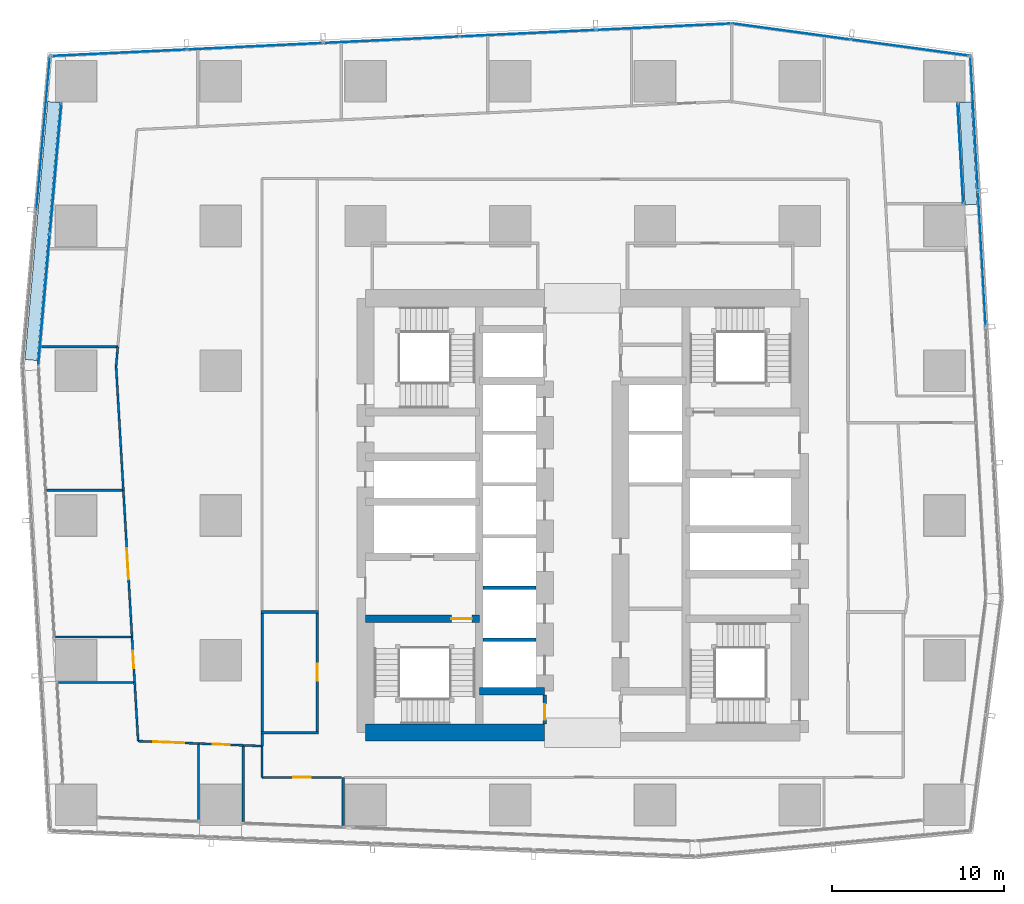
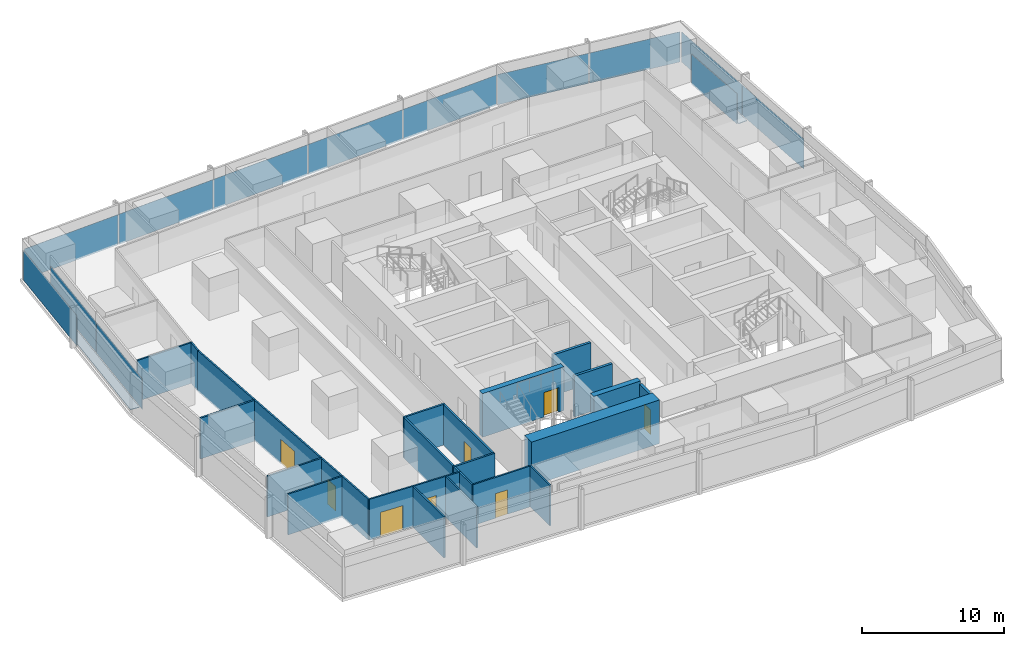
# One storey, part 24 of 37: 28 walls, 15 plates, 8 doors, 8 openings, 6 elements without a shape of their own.
"""IFC4 building model written with IfcOpenShell, lengths in metres."""

from ifc_helpers import new_model, si_unit, direction, frame, frame_2d, origin, origin_2d, place, context, subcontext, project, spatial, rectangle, extrude, material, layer, layer_set, type_object, element, fill, aggregate, save


model = new_model("IFC4")

# Units and contexts
model_context = context("Model", 3, precision=1e-05, world=origin(), true_north=direction((0.0, 1.0)))
body_context = subcontext(model_context, "Body", "Model", "MODEL_VIEW")
ifc_project = project(units=[si_unit("LENGTHUNIT", "METRE"), si_unit("AREAUNIT", "SQUARE_METRE"), si_unit("VOLUMEUNIT", "CUBIC_METRE"), si_unit("PLANEANGLEUNIT", "RADIAN"), si_unit("MASSUNIT", "GRAM", prefix="KILO")], contexts=[model_context])

# Site, building, storey
site_placement = place(None, origin())
site = spatial("IfcSite", under=ifc_project, at=site_placement, CompositionType="ELEMENT")
building_placement = place(site_placement, origin())
building = spatial("IfcBuilding", under=site, at=building_placement, Name="Rekha Terrace Tower", CompositionType="ELEMENT")
storey_placement = place(building_placement, frame((0.0, 0.0, 232.699951171875)))
storey = spatial("IfcBuildingStorey", under=building, at=storey_placement, Name="L59", CompositionType="ELEMENT", Elevation=232.699951171875)

# Curtain wall, plate
ifc_material_1 = material(Name="Aluminium framing", Category="aluminium")
curtain_wall_type_1 = type_object("IfcCurtainWallType", Name="CW1 double skin inner glazing", PredefinedType="USERDEFINED", material=ifc_material_1)
curtain_wall_1_placement = place(storey_placement, origin())
curtain_wall_1 = element("IfcCurtainWall", 1, at=curtain_wall_1_placement, inside=storey, type_object=curtain_wall_type_1, Name="CW1 double skin inner glazing", ObjectType="DOUBLE SKIN INNER GLAZING", PredefinedType="USERDEFINED")
ifc_material_2 = material(Name="Double-glazed low-e unit 32", Category="glass")
ifc_layer_1 = layer(ifc_material_2, 0.031982421875)
ifc_layer_set_1 = layer_set([ifc_layer_1], Name="Double-glazed low-e unit 32")
plate_type_1 = type_object("IfcPlateType", Name="CW1 jumbo vision panel, double-glazed low-e unit 32", PredefinedType="CURTAIN_PANEL", material=ifc_layer_set_1)
plate_1_placement = place(storey_placement, frame((59.720458984375, 54.60009765625, 0.0), z_axis=(0.0, 0.0, 1.0), x_axis=(-0.056673194877, 0.998392782918, 0.0)))
plate_1 = element("IfcPlate", 2, at=plate_1_placement, type_object=plate_type_1, Name="CW1 panel 1.1", PredefinedType="CURTAIN_PANEL", context=body_context, shape_type="SweptSolid", body=[
    extrude(rectangle(XDim=5.828857421875, YDim=0.031982421875, at=origin_2d()), origin(), (0.0, 0.0, 1.0), 2.60009765625),
])
aggregate(curtain_wall_1, [plate_1])

# Curtain wall, plates
curtain_wall_2_placement = place(storey_placement, origin())
curtain_wall_2 = element("IfcCurtainWall", 3, at=curtain_wall_2_placement, inside=storey, type_object=curtain_wall_type_1, Name="CW1 double skin inner glazing", ObjectType="DOUBLE SKIN INNER GLAZING", PredefinedType="USERDEFINED")
plate_2_placement = place(storey_placement, frame((7.2216796875, 53.7412109375, 0.0), z_axis=(0.0, 0.0, 1.0), x_axis=(-0.087957985471, -0.996124185427, 0.0)))
plate_2 = element("IfcPlate", 4, at=plate_2_placement, type_object=plate_type_1, Name="CW1 panel 1.1", PredefinedType="CURTAIN_PANEL", context=body_context, shape_type="SweptSolid", body=[
    extrude(rectangle(XDim=7.560791015625, YDim=0.031982421875, at=origin_2d()), origin(), (0.0, 0.0, 1.0), 2.60009765625),
])
plate_3_placement = place(storey_placement, frame((6.548095703125, 46.112548828125, 0.0), z_axis=(0.0, 0.0, 1.0), x_axis=(-0.087957985471, -0.996124185427, 0.0)))
plate_3 = element("IfcPlate", 5, at=plate_3_placement, type_object=plate_type_1, Name="CW1 panel 2.1", PredefinedType="CURTAIN_PANEL", context=body_context, shape_type="SweptSolid", body=[
    extrude(rectangle(XDim=7.625732421875, YDim=0.031982421875, at=origin_2d()), origin(), (0.0, 0.0, 1.0), 2.60009765625),
])
aggregate(curtain_wall_2, [plate_2, plate_3])

curtain_wall_type_2 = type_object("IfcCurtainWallType", Name="CW2 double skin outer glazing", PredefinedType="USERDEFINED", material=ifc_material_1)
curtain_wall_3_placement = place(storey_placement, origin())
curtain_wall_3 = element("IfcCurtainWall", 6, at=curtain_wall_3_placement, inside=storey, type_object=curtain_wall_type_2, Name="CW2 double skin outer glazing", ObjectType="DOUBLE SKIN OUTER GLAZING", PredefinedType="USERDEFINED")
ifc_material_3 = material(Name="Toughened single glazing 12", Category="glass")
ifc_layer_2 = layer(ifc_material_3, 0.011962890625)
ifc_layer_set_2 = layer_set([ifc_layer_2], Name="Toughened single glazing 12")
plate_type_2 = type_object("IfcPlateType", Name="CW2 jumbo vision panel, toughened single glazing 12", PredefinedType="CURTAIN_PANEL", material=ifc_layer_set_2)
plate_4_placement = place(storey_placement, frame((60.9697265625, 48.47314453125, 0.0), z_axis=(0.0, 0.0, 1.0), x_axis=(-0.05667319486, 0.998392782919, 0.0)))
plate_4 = element("IfcPlate", 7, at=plate_4_placement, type_object=plate_type_2, Name="CW2 panel 3.1", PredefinedType="CURTAIN_PANEL", context=body_context, shape_type="SweptSolid", body=[
    extrude(rectangle(XDim=7.823486328125, YDim=0.011962890625, at=origin_2d()), origin(), (0.0, 0.0, 1.0), 2.60009765625),
])
plate_5_placement = place(storey_placement, frame((60.522705078125, 56.343994140625, 0.0), z_axis=(0.0, 0.0, 1.0), x_axis=(-0.05667319486, 0.998392782919, 0.0)))
plate_5 = element("IfcPlate", 8, at=plate_5_placement, type_object=plate_type_2, Name="CW2 panel 4.1", PredefinedType="CURTAIN_PANEL", context=body_context, shape_type="SweptSolid", body=[
    extrude(rectangle(XDim=7.783447265625, YDim=0.011962890625, at=origin_2d()), origin(), (0.0, 0.0, 1.0), 2.60009765625),
])
aggregate(curtain_wall_3, [plate_4, plate_5])

# Curtain wall, plate
curtain_wall_4_placement = place(storey_placement, origin())
curtain_wall_4 = element("IfcCurtainWall", 9, at=curtain_wall_4_placement, inside=storey, type_object=curtain_wall_type_2, Name="CW2 double skin outer glazing", ObjectType="DOUBLE SKIN OUTER GLAZING", PredefinedType="USERDEFINED")
plate_6_placement = place(storey_placement, frame((6.498779296875, 55.78466796875, 0.0), z_axis=(0.0, 0.0, 1.0), x_axis=(-0.087957985453, -0.996124185428, 0.0)))
plate_6 = element("IfcPlate", 10, at=plate_6_placement, type_object=plate_type_2, Name="CW2 panel 1.1", PredefinedType="CURTAIN_PANEL", context=body_context, shape_type="SweptSolid", body=[
    extrude(rectangle(XDim=8.899658203125, YDim=0.011962890625, at=origin_2d()), origin(), (0.0, 0.0, 1.0), 2.60009765625),
])
aggregate(curtain_wall_4, [plate_6])

# Curtain wall, plates
curtain_wall_type_3 = type_object("IfcCurtainWallType", Name="CW3 north unitised glazing", PredefinedType="USERDEFINED", material=ifc_material_1)
curtain_wall_5_placement = place(storey_placement, origin())
curtain_wall_5 = element("IfcCurtainWall", 11, at=curtain_wall_5_placement, inside=storey, type_object=curtain_wall_type_3, Name="CW3 unitised curtain wall", ObjectType="UNITISED CURTAIN WALL", PredefinedType="USERDEFINED")
ifc_material_4 = material(Name="Double-glazed unit 28", Category="glass")
ifc_layer_3 = layer(ifc_material_4, 0.028076171875)
ifc_layer_set_3 = layer_set([ifc_layer_3], Name="Double-glazed unit 28")
plate_type_3 = type_object("IfcPlateType", Name="CW3 jumbo vision panel, double-glazed unit 28", PredefinedType="CURTAIN_PANEL", material=ifc_layer_set_3)
plate_7_placement = place(storey_placement, frame((56.797119140625, 60.745361328125, 0.0), z_axis=(0.0, 0.0, 1.0), x_axis=(-0.990867270504, 0.134840840416, 0.0)))
plate_7 = element("IfcPlate", 12, at=plate_7_placement, type_object=plate_type_3, Name="CW3 panel 1.1", PredefinedType="CURTAIN_PANEL", context=body_context, shape_type="SweptSolid", body=[
    extrude(rectangle(XDim=6.8486328125, YDim=0.028076171875, at=origin_2d()), origin(), (0.0, 0.0, 1.0), 2.60009765625),
])
plate_8_placement = place(storey_placement, frame((49.906982421875, 61.682861328125, 0.0), z_axis=(0.0, 0.0, 1.0), x_axis=(-0.990867270504, 0.134840840416, 0.0)))
plate_8 = element("IfcPlate", 13, at=plate_8_placement, type_object=plate_type_3, Name="CW3 panel 2.1", PredefinedType="CURTAIN_PANEL", context=body_context, shape_type="SweptSolid", body=[
    extrude(rectangle(XDim=6.918701171875, YDim=0.028076171875, at=origin_2d()), origin(), (0.0, 0.0, 1.0), 2.60009765625),
])
aggregate(curtain_wall_5, [plate_7, plate_8])

curtain_wall_6_placement = place(storey_placement, origin())
curtain_wall_6 = element("IfcCurtainWall", 14, at=curtain_wall_6_placement, inside=storey, type_object=curtain_wall_type_3, Name="CW3 unitised curtain wall", ObjectType="UNITISED CURTAIN WALL", PredefinedType="USERDEFINED")
plate_9_placement = place(storey_placement, frame((42.50732421875, 61.95947265625, 0.0), z_axis=(0.0, 0.0, 1.0), x_axis=(-0.998858906204, -0.047758616983, 0.0)))
plate_9 = element("IfcPlate", 15, at=plate_9_placement, type_object=plate_type_3, Name="CW3 panel 1.1", PredefinedType="CURTAIN_PANEL", context=body_context, shape_type="SweptSolid", body=[
    extrude(rectangle(XDim=7.81298828125, YDim=0.028076171875, at=origin_2d()), origin(), (0.0, 0.0, 1.0), 2.60009765625),
])
plate_10_placement = place(storey_placement, frame((34.61572265625, 61.58203125, 0.0), z_axis=(0.0, 0.0, 1.0), x_axis=(-0.998858906204, -0.047758616983, 0.0)))
plate_10 = element("IfcPlate", 16, at=plate_10_placement, type_object=plate_type_3, Name="CW3 panel 2.1", PredefinedType="CURTAIN_PANEL", context=body_context, shape_type="SweptSolid", body=[
    extrude(rectangle(XDim=7.84814453125, YDim=0.028076171875, at=origin_2d()), origin(), (0.0, 0.0, 1.0), 2.60009765625),
])
plate_11_placement = place(storey_placement, frame((26.70654296875, 61.203857421875, 0.0), z_axis=(0.0, 0.0, 1.0), x_axis=(-0.998858906204, -0.047758616983, 0.0)))
plate_11 = element("IfcPlate", 17, at=plate_11_placement, type_object=plate_type_3, Name="CW3 panel 3.1", PredefinedType="CURTAIN_PANEL", context=body_context, shape_type="SweptSolid", body=[
    extrude(rectangle(XDim=7.84814453125, YDim=0.028076171875, at=origin_2d()), origin(), (0.0, 0.0, 1.0), 2.60009765625),
])
plate_12_placement = place(storey_placement, frame((18.79736328125, 60.82568359375, 0.0), z_axis=(0.0, 0.0, 1.0), x_axis=(-0.998858906204, -0.047758616983, 0.0)))
plate_12 = element("IfcPlate", 18, at=plate_12_placement, type_object=plate_type_3, Name="CW3 panel 4.1", PredefinedType="CURTAIN_PANEL", context=body_context, shape_type="SweptSolid", body=[
    extrude(rectangle(XDim=7.84814453125, YDim=0.028076171875, at=origin_2d()), origin(), (0.0, 0.0, 1.0), 2.60009765625),
])
plate_13_placement = place(storey_placement, frame((10.906005859375, 60.448486328125, 0.0), z_axis=(0.0, 0.0, 1.0), x_axis=(-0.998858906204, -0.047758616983, 0.0)))
plate_13 = element("IfcPlate", 19, at=plate_13_placement, type_object=plate_type_3, Name="CW3 panel 5.1", PredefinedType="CURTAIN_PANEL", context=body_context, shape_type="SweptSolid", body=[
    extrude(rectangle(XDim=7.81298828125, YDim=0.028076171875, at=origin_2d()), origin(), (0.0, 0.0, 1.0), 2.60009765625),
])
aggregate(curtain_wall_6, [plate_9, plate_10, plate_11, plate_12, plate_13])

# Plates
ifc_material_5 = material(Name="Galvanised steel open grating", Category="steel")
ifc_layer_4 = layer(ifc_material_5, 0.050048828125)
ifc_layer_set_4 = layer_set([ifc_layer_4], Name="Galvanised steel open grating")
plate_type_4 = type_object("IfcPlateType", Name="GT1 cavity walkway grating 50", PredefinedType="USERDEFINED", material=ifc_layer_set_4)
plate_14_placement = place(storey_placement, frame((60.17041015625, 54.610595703125, 0.0), z_axis=(0.0, 0.0, 1.0), x_axis=(-0.05667319486, 0.998392782919, 0.0)))
element("IfcPlate", 20, at=plate_14_placement, inside=storey, type_object=plate_type_4, Name="Cavity walkway grating", ObjectType="CAVITY WALKWAY GRATING", PredefinedType="USERDEFINED", context=body_context, shape_type="SweptSolid", body=[
    extrude(rectangle(XDim=5.948486328125, YDim=0.705078125, at=origin_2d()), origin(), (0.0, 0.0, 1.0), 0.050048828125),
])
plate_15_placement = place(storey_placement, frame((6.44873046875, 50.10400390625, 0.0), z_axis=(0.0, 0.0, 1.0), x_axis=(-0.087957985471, -0.996124185427, 0.0)))
element("IfcPlate", 21, at=plate_15_placement, inside=storey, type_object=plate_type_4, Name="Cavity walkway grating", ObjectType="CAVITY WALKWAY GRATING", PredefinedType="USERDEFINED", context=body_context, shape_type="SweptSolid", body=[
    extrude(rectangle(XDim=15.0263671875, YDim=0.705078125, at=origin_2d()), origin(), (0.0, 0.0, 1.0), 0.050048828125),
])

# Wall
ifc_material_6 = material(Name="Concrete M60", Category="concrete")
ifc_layer_5 = layer(ifc_material_6, 0.449951171875)
ifc_layer_set_5 = layer_set([ifc_layer_5], Name="Concrete M60")
wall_type_1 = type_object("IfcWallType", Name="CI3 450 core internal shear wall", PredefinedType="SHEAR", material=ifc_layer_set_5)
wall_1_placement = place(storey_placement, frame((31.800048828125, 23.39990234375, 0.0), z_axis=(0.0, 0.0, 1.0), x_axis=(1.0, 0.0, 0.0)))
element("IfcWall", 22, at=wall_1_placement, inside=storey, type_object=wall_type_1, Name="Core wall Y234W L59", PredefinedType="SHEAR", context=body_context, shape_type="SweptSolid", body=[
    extrude(rectangle(XDim=3.800048828125, YDim=0.449951171875, at=frame_2d((1.89990234375, 0.0))), origin(), (0.0, 0.0, 1.0), 3.75),
])

# Wall, opening, door
wall_2_placement = place(storey_placement, frame((25.199951171875, 27.60009765625, 0.0), z_axis=(0.0, 0.0, 1.0), x_axis=(1.0, 0.0, 0.0)))
wall_2 = element("IfcWall", 23, at=wall_2_placement, inside=storey, type_object=wall_type_1, Name="Core wall Y276W L59", PredefinedType="SHEAR", context=body_context, shape_type="SweptSolid", body=[
    extrude(rectangle(XDim=6.60009765625, YDim=0.449951171875, at=frame_2d((3.300048828125, 0.0))), origin(), (0.0, 0.0, 1.0), 3.75),
])
opening_1_placement = place(wall_2_placement, frame((4.97509765625, 0.0, 0.0)))
opening_1 = element("IfcOpeningElement", 24, at=opening_1_placement, cuts=wall_2, Name="Opening D1", PredefinedType="OPENING", context=body_context, shape_type="SweptSolid", body=[
    extrude(rectangle(XDim=1.199951171875, YDim=2.10009765625, at=frame_2d((0.60009765625, 1.050048828125))), frame((0.0, 0.23486328125, 0.0), z_axis=(0.0, -1.0, 0.0), x_axis=(1.0, 0.0, 0.0)), (0.0, 0.0, 1.0), 0.469970703125),
])
ifc_material_7 = material(Name="Steel fire door", Category="steel")
door_type_1 = type_object("IfcDoorType", Name="D1 1200x2100 stair fire door", OperationType="SINGLE_SWING_RIGHT", PredefinedType="DOOR", material=ifc_material_7)
door_1_placement = place(opening_1_placement, origin())
door_1 = element("IfcDoor", 25, at=door_1_placement, inside=storey, type_object=door_type_1, Name="Stair ST1 door L59", OperationType="SINGLE_SWING_RIGHT", OverallHeight=2.10009765625, OverallWidth=1.199951171875, PredefinedType="DOOR", context=body_context, shape_type="SweptSolid", body=[
    extrude(rectangle(XDim=1.199951171875, YDim=2.10009765625, at=frame_2d((0.60009765625, 1.050048828125))), frame((0.0, 0.02490234375, 0.0), z_axis=(0.0, -1.0, 0.0), x_axis=(1.0, 0.0, 0.0)), (0.0, 0.0, 1.0), 0.050048828125),
])
fill(opening_1, door_1)

# Walls
ifc_layer_6 = layer(ifc_material_6, 1.0)
ifc_layer_set_6 = layer_set([ifc_layer_6], Name="Concrete M60")
wall_type_2 = type_object("IfcWallType", Name="SW3 1000 core outer shear wall", PredefinedType="SHEAR", material=ifc_layer_set_6)
wall_3_placement = place(storey_placement, frame((25.199951171875, 21.0, 0.0), z_axis=(0.0, 0.0, 1.0), x_axis=(1.0, 0.0, 0.0)))
element("IfcWall", 26, at=wall_3_placement, inside=storey, type_object=wall_type_2, Name="Core wall S1 L59", PredefinedType="SHEAR", context=body_context, shape_type="SweptSolid", body=[
    extrude(rectangle(XDim=10.400146484375, YDim=1.0, at=frame_2d((5.2001953125, 0.0))), origin(), (0.0, 0.0, 1.0), 3.75),
])
ifc_material_8 = material(Name="Concrete block masonry, 1 hour", Category="masonry")
ifc_layer_7 = layer(ifc_material_8, 0.14990234375)
ifc_layer_set_7 = layer_set([ifc_layer_7], Name="Concrete block masonry, 1 hour")
wall_type_3 = type_object("IfcWallType", Name="WP2 150 tenancy partition", PredefinedType="PARTITIONING", material=ifc_layer_set_7)
for number, where, z_axis, x_axis, name in (
    (27, (19.125, 21.0, 0.0), (0.0, 0.0, 1.0), (1.0, 0.0, 0.0), "Men's WC wall L59"),
    (28, (19.125, 28.0, 0.0), (0.0, 0.0, 1.0), (1.0, 0.0, 0.0), "Men's WC wall L59"),
):
    element("IfcWall", number, at=place(storey_placement, frame(where, z_axis=z_axis, x_axis=x_axis)), inside=storey, type_object=wall_type_3, Name=name, PredefinedType="PARTITIONING", context=body_context, shape_type="SweptSolid", body=[
        extrude(rectangle(XDim=3.35009765625, YDim=0.14990234375, at=frame_2d((1.675048828125, 0.0))), origin(), (0.0, 0.0, 1.0), 3.5),
    ])
wall_4_placement = place(storey_placement, frame((19.199951171875, 21.074951171875, 0.0), z_axis=(0.0, 0.0, 1.0), x_axis=(0.0, 1.0, 0.0)))
element("IfcWall", 29, at=wall_4_placement, inside=storey, type_object=wall_type_3, Name="Men's WC wall L59", PredefinedType="PARTITIONING", context=body_context, shape_type="SweptSolid", body=[
    extrude(rectangle(XDim=6.85009765625, YDim=0.14990234375, at=frame_2d((3.425048828125, 0.0))), origin(), (0.0, 0.0, 1.0), 3.5),
])

# Wall, opening, door
wall_5_placement = place(storey_placement, frame((22.39990234375, 21.074951171875, 0.0), z_axis=(0.0, 0.0, 1.0), x_axis=(0.0, 1.0, 0.0)))
wall_5 = element("IfcWall", 30, at=wall_5_placement, inside=storey, type_object=wall_type_3, Name="Men's WC wall L59", PredefinedType="PARTITIONING", context=body_context, shape_type="SweptSolid", body=[
    extrude(rectangle(XDim=6.85009765625, YDim=0.14990234375, at=frame_2d((3.425048828125, 0.0))), origin(), (0.0, 0.0, 1.0), 3.5),
])
opening_2_placement = place(wall_5_placement, frame((2.925048828125, 0.0, 0.0)))
opening_2 = element("IfcOpeningElement", 31, at=opening_2_placement, cuts=wall_5, Name="Opening D3", PredefinedType="OPENING", context=body_context, shape_type="SweptSolid", body=[
    extrude(rectangle(XDim=1.0, YDim=2.10009765625, at=frame_2d((0.5, 1.050048828125))), frame((0.0, 0.0849609375, 0.0), z_axis=(0.0, -1.0, 0.0), x_axis=(1.0, 0.0, 0.0)), (0.0, 0.0, 1.0), 0.169921875),
])
ifc_material_9 = material(Name="Laminated timber fire door", Category="wood")
door_type_2 = type_object("IfcDoorType", Name="D3 1000x2100 WC door", OperationType="SINGLE_SWING_LEFT", PredefinedType="DOOR", material=ifc_material_9)
door_2_placement = place(opening_2_placement, origin())
door_2 = element("IfcDoor", 32, at=door_2_placement, inside=storey, type_object=door_type_2, Name="Door men's wc L59", OperationType="SINGLE_SWING_LEFT", OverallHeight=2.10009765625, OverallWidth=1.0, PredefinedType="DOOR", context=body_context, shape_type="SweptSolid", body=[
    extrude(rectangle(XDim=1.0, YDim=2.10009765625, at=frame_2d((0.5, 1.050048828125))), frame((0.0, 0.02490234375, 0.0), z_axis=(0.0, -1.0, 0.0), x_axis=(1.0, 0.0, 0.0)), (0.0, 0.0, 1.0), 0.050048828125),
])
fill(opening_2, door_2)

# Walls
wall_6_placement = place(storey_placement, frame((11.0849609375, 35.05908203125, 0.0), z_axis=(0.0, 0.0, 1.0), x_axis=(-1.0, 0.0, 0.0)))
element("IfcWall", 33, at=wall_6_placement, inside=storey, type_object=wall_type_3, Name="Partition L59-O1", PredefinedType="PARTITIONING", context=body_context, shape_type="SweptSolid", body=[
    extrude(rectangle(XDim=4.39501953125, YDim=0.14990234375, at=frame_2d((2.197509765625, 0.0))), origin(), (0.0, 0.0, 1.0), 3.5),
])
wall_7_placement = place(storey_placement, frame((19.199951171875, 20.925048828125, 0.0), z_axis=(0.0, 0.0, 1.0), x_axis=(0.0, -1.0, 0.0)))
element("IfcWall", 34, at=wall_7_placement, inside=storey, type_object=wall_type_3, Name="Partition L59-O1", PredefinedType="PARTITIONING", context=body_context, shape_type="SweptSolid", body=[
    extrude(rectangle(XDim=0.70703125, YDim=0.14990234375, at=frame_2d((0.353515625, 0.0))), origin(), (0.0, 0.0, 1.0), 3.5),
])
ifc_material_10 = material(Name="Two layers of fire-rated gypsum board each side on steel studs, acoustic quilt, 1 hour", Category="steel")
ifc_layer_8 = layer(ifc_material_10, 0.125)
ifc_layer_set_8 = layer_set([ifc_layer_8], Name="Two layers of fire-rated gypsum board each side on steel studs, acoustic quilt, 1 hour")
wall_type_4 = type_object("IfcWallType", Name="WP3 125 office partition", PredefinedType="PARTITIONING", material=ifc_layer_set_8)
wall_8_placement = place(storey_placement, frame((23.906982421875, 15.60595703125, 0.0), z_axis=(0.0, 0.0, 1.0), x_axis=(0.0, 1.0, 0.0)))
element("IfcWall", 35, at=wall_8_placement, inside=storey, type_object=wall_type_4, Name="Partition L59-02", PredefinedType="PARTITIONING", context=body_context, shape_type="SweptSolid", body=[
    extrude(rectangle(XDim=2.7939453125, YDim=0.125, at=frame_2d((1.39697265625, 0.0))), origin(), (0.0, 0.0, 1.0), 3.5),
])
wall_9_placement = place(storey_placement, frame((10.825927734375, 43.39208984375, 0.0), z_axis=(0.0, 0.0, 1.0), x_axis=(-1.0, 0.0, 0.0)))
element("IfcWall", 36, at=wall_9_placement, inside=storey, type_object=wall_type_4, Name="Partition L59-09", PredefinedType="PARTITIONING", context=body_context, shape_type="SweptSolid", body=[
    extrude(rectangle(XDim=4.43798828125, YDim=0.125, at=frame_2d((2.218994140625, 0.0))), origin(), (0.0, 0.0, 1.0), 3.5),
])
wall_10_placement = place(storey_placement, frame((10.825927734375, 43.39111328125, 0.0), z_axis=(0.0, 0.0, 1.0), x_axis=(-0.087943526258, -0.996125462073, 0.0)))
element("IfcWall", 37, at=wall_10_placement, inside=storey, type_object=wall_type_4, Name="Partition L59-10", PredefinedType="PARTITIONING", context=body_context, shape_type="SweptSolid", body=[
    extrude(rectangle(XDim=1.146484375, YDim=0.125, at=frame_2d((0.5732421875, 0.0))), origin(), (0.0, 0.0, 1.0), 3.5),
])
wall_11_placement = place(storey_placement, frame((10.72509765625, 42.2490234375, 0.0), z_axis=(0.0, 0.0, 1.0), x_axis=(0.058718047248, -0.998274606973, 0.0)))
element("IfcWall", 38, at=wall_11_placement, inside=storey, type_object=wall_type_4, Name="Partition L59-10", PredefinedType="PARTITIONING", context=body_context, shape_type="SweptSolid", body=[
    extrude(rectangle(XDim=7.201416015625, YDim=0.125, at=frame_2d((3.6005859375, 0.0))), origin(), (0.0, 0.0, 1.0), 3.5),
])

# Wall, opening, door
wall_12_placement = place(storey_placement, frame((11.14794921875, 35.06005859375, 0.0), z_axis=(0.0, 0.0, 1.0), x_axis=(0.058747195918, -0.998272892035, 0.0)))
wall_12 = element("IfcWall", 39, at=wall_12_placement, inside=storey, type_object=wall_type_4, Name="Partition L59-10", PredefinedType="PARTITIONING", context=body_context, shape_type="SweptSolid", body=[
    extrude(rectangle(XDim=8.527587890625, YDim=0.125, at=frame_2d((4.263671875, 0.0))), origin(), (0.0, 0.0, 1.0), 3.5),
])
opening_3_placement = place(wall_12_placement, frame((3.364013671875, 0.0, 0.0)))
opening_3 = element("IfcOpeningElement", 40, at=opening_3_placement, cuts=wall_12, Name="Opening D8", PredefinedType="OPENING", context=body_context, shape_type="SweptSolid", body=[
    extrude(rectangle(XDim=1.800048828125, YDim=2.10009765625, at=frame_2d((0.89990234375, 1.050048828125))), frame((0.0, 0.072509765625, 0.0), z_axis=(0.0, -1.0, 0.0), x_axis=(1.0, 0.0, 0.0)), (0.0, 0.0, 1.0), 0.14501953125),
])
ifc_material_11 = material(Name="Timber fire door", Category="wood")
door_type_3 = type_object("IfcDoorType", Name="D8 1800x2100 double leaf door", OperationType="DOUBLE_DOOR_SINGLE_SWING", PredefinedType="DOOR", material=ifc_material_11)
door_3_placement = place(opening_3_placement, origin())
door_3 = element("IfcDoor", 41, at=door_3_placement, inside=storey, type_object=door_type_3, Name="Door meeting room L59", OperationType="DOUBLE_DOOR_SINGLE_SWING", OverallHeight=2.10009765625, OverallWidth=1.800048828125, PredefinedType="DOOR", context=body_context, shape_type="SweptSolid", body=[
    extrude(rectangle(XDim=1.800048828125, YDim=2.10009765625, at=frame_2d((0.89990234375, 1.050048828125))), frame((0.0, 0.02490234375, 0.0), z_axis=(0.0, -1.0, 0.0), x_axis=(1.0, 0.0, 0.0)), (0.0, 0.0, 1.0), 0.050048828125),
])
fill(opening_3, door_3)

# Wall
wall_13_placement = place(storey_placement, frame((11.64892578125, 26.547119140625, 0.0), z_axis=(0.0, 0.0, 1.0), x_axis=(-1.0, 0.0, 0.0)))
element("IfcWall", 42, at=wall_13_placement, inside=storey, type_object=wall_type_4, Name="Partition L59-10", PredefinedType="PARTITIONING", context=body_context, shape_type="SweptSolid", body=[
    extrude(rectangle(XDim=4.427978515625, YDim=0.125, at=frame_2d((2.2138671875, 0.0))), origin(), (0.0, 0.0, 1.0), 3.5),
])

# Wall, opening, door
wall_14_placement = place(storey_placement, frame((11.64892578125, 26.5458984375, 0.0), z_axis=(0.0, 0.0, 1.0), x_axis=(0.058711043696, -0.998275018894, 0.0)))
wall_14 = element("IfcWall", 43, at=wall_14_placement, inside=storey, type_object=wall_type_4, Name="Partition L59-11", PredefinedType="PARTITIONING", context=body_context, shape_type="SweptSolid", body=[
    extrude(rectangle(XDim=2.607177734375, YDim=0.125, at=frame_2d((1.3037109375, 0.0))), origin(), (0.0, 0.0, 1.0), 3.5),
])
opening_4_placement = place(wall_14_placement, frame((0.803955078125, 0.0, 0.0)))
opening_4 = element("IfcOpeningElement", 44, at=opening_4_placement, cuts=wall_14, Name="Opening D9", PredefinedType="OPENING", context=body_context, shape_type="SweptSolid", body=[
    extrude(rectangle(XDim=1.0, YDim=2.10009765625, at=frame_2d((0.5, 1.050048828125))), frame((0.0, 0.072509765625, 0.0), z_axis=(0.0, -1.0, 0.0), x_axis=(1.0, 0.0, 0.0)), (0.0, 0.0, 1.0), 0.14501953125),
])
door_type_4 = type_object("IfcDoorType", Name="D9 1000x2100 office door", OperationType="SINGLE_SWING_LEFT", PredefinedType="DOOR", material=ifc_material_11)
door_4_placement = place(opening_4_placement, origin())
door_4 = element("IfcDoor", 45, at=door_4_placement, inside=storey, type_object=door_type_4, Name="Door office L59", OperationType="SINGLE_SWING_LEFT", OverallHeight=2.10009765625, OverallWidth=1.0, PredefinedType="DOOR", context=body_context, shape_type="SweptSolid", body=[
    extrude(rectangle(XDim=1.0, YDim=2.10009765625, at=frame_2d((0.5, 1.050048828125))), frame((0.0, 0.02490234375, 0.0), z_axis=(0.0, -1.0, 0.0), x_axis=(1.0, 0.0, 0.0)), (0.0, 0.0, 1.0), 0.050048828125),
])
fill(opening_4, door_4)

# Walls
wall_15_placement = place(storey_placement, frame((11.740966796875, 23.906982421875, 0.0), z_axis=(0.0, 0.0, 1.0), x_axis=(-1.0, 0.0, 0.0)))
element("IfcWall", 46, at=wall_15_placement, inside=storey, type_object=wall_type_4, Name="Partition L59-11", PredefinedType="PARTITIONING", context=body_context, shape_type="SweptSolid", body=[
    extrude(rectangle(XDim=4.364013671875, YDim=0.125, at=frame_2d((2.18212890625, 0.0))), origin(), (0.0, 0.0, 1.0), 3.5),
])
wall_16_placement = place(storey_placement, frame((15.508056640625, 20.302978515625, 0.0), z_axis=(0.0, 0.0, 1.0), x_axis=(0.0, -1.0, 0.0)))
element("IfcWall", 47, at=wall_16_placement, inside=storey, type_object=wall_type_4, Name="Partition L59-12", PredefinedType="PARTITIONING", context=body_context, shape_type="SweptSolid", body=[
    extrude(rectangle(XDim=4.361083984375, YDim=0.125, at=frame_2d((2.1806640625, 0.0))), origin(), (0.0, 0.0, 1.0), 3.5),
])
wall_17_placement = place(storey_placement, frame((11.802001953125, 23.94189453125, 0.0), z_axis=(0.0, 0.0, 1.0), x_axis=(0.058925701835, -0.998262371155, 0.0)))
element("IfcWall", 48, at=wall_17_placement, inside=storey, type_object=wall_type_4, Name="Partition L59-12", PredefinedType="PARTITIONING", context=body_context, shape_type="SweptSolid", body=[
    extrude(rectangle(XDim=3.443115234375, YDim=0.125, at=frame_2d((1.7216796875, 0.0))), origin(), (0.0, 0.0, 1.0), 3.5),
])

# Wall, opening, door
wall_18_placement = place(storey_placement, frame((12.0048828125, 20.5048828125, 0.0), z_axis=(0.0, 0.0, 1.0), x_axis=(0.999208321211, -0.039783549637, 0.0)))
wall_18 = element("IfcWall", 49, at=wall_18_placement, inside=storey, type_object=wall_type_4, Name="Partition L59-12", PredefinedType="PARTITIONING", context=body_context, shape_type="SweptSolid", body=[
    extrude(rectangle(XDim=3.540771484375, YDim=0.125, at=frame_2d((1.7705078125, 0.0))), origin(), (0.0, 0.0, 1.0), 3.5),
])
opening_5_placement = place(wall_18_placement, frame((0.8701171875, 0.0, 0.0)))
opening_5 = element("IfcOpeningElement", 50, at=opening_5_placement, cuts=wall_18, Name="Opening D8", PredefinedType="OPENING", context=body_context, shape_type="SweptSolid", body=[
    extrude(rectangle(XDim=1.800048828125, YDim=2.10009765625, at=frame_2d((0.89990234375, 1.050048828125))), frame((0.0, 0.072509765625, 0.0), z_axis=(0.0, -1.0, 0.0), x_axis=(1.0, 0.0, 0.0)), (0.0, 0.0, 1.0), 0.14501953125),
])
door_5_placement = place(opening_5_placement, origin())
door_5 = element("IfcDoor", 51, at=door_5_placement, inside=storey, type_object=door_type_3, Name="Door board meeting room L59", OperationType="DOUBLE_DOOR_SINGLE_SWING", OverallHeight=2.10009765625, OverallWidth=1.800048828125, PredefinedType="DOOR", context=body_context, shape_type="SweptSolid", body=[
    extrude(rectangle(XDim=1.800048828125, YDim=2.10009765625, at=frame_2d((0.89990234375, 1.050048828125))), frame((0.0, 0.02490234375, 0.0), z_axis=(0.0, -1.0, 0.0), x_axis=(1.0, 0.0, 0.0)), (0.0, 0.0, 1.0), 0.050048828125),
])
fill(opening_5, door_5)

wall_19_placement = place(storey_placement, frame((15.5439453125, 20.364013671875, 0.0), z_axis=(0.0, 0.0, 1.0), x_axis=(0.999194259908, -0.040135158736, 0.0)))
wall_19 = element("IfcWall", 52, at=wall_19_placement, inside=storey, type_object=wall_type_4, Name="Partition L59-13", PredefinedType="PARTITIONING", context=body_context, shape_type="SweptSolid", body=[
    extrude(rectangle(XDim=2.56689453125, YDim=0.125, at=frame_2d((1.283447265625, 0.0))), origin(), (0.0, 0.0, 1.0), 3.5),
])
opening_6_placement = place(wall_19_placement, frame((0.783935546875, 0.0, 0.0)))
opening_6 = element("IfcOpeningElement", 53, at=opening_6_placement, cuts=wall_19, Name="Opening D9", PredefinedType="OPENING", context=body_context, shape_type="SweptSolid", body=[
    extrude(rectangle(XDim=1.0, YDim=2.10009765625, at=frame_2d((0.5, 1.050048828125))), frame((0.0, 0.072509765625, 0.0), z_axis=(0.0, -1.0, 0.0), x_axis=(1.0, 0.0, 0.0)), (0.0, 0.0, 1.0), 0.14501953125),
])
door_6_placement = place(opening_6_placement, origin())
door_6 = element("IfcDoor", 54, at=door_6_placement, inside=storey, type_object=door_type_4, Name="Door meeting room L59", OperationType="SINGLE_SWING_LEFT", OverallHeight=2.10009765625, OverallWidth=1.0, PredefinedType="DOOR", context=body_context, shape_type="SweptSolid", body=[
    extrude(rectangle(XDim=1.0, YDim=2.10009765625, at=frame_2d((0.5, 1.050048828125))), frame((0.0, 0.02490234375, 0.0), z_axis=(0.0, -1.0, 0.0), x_axis=(1.0, 0.0, 0.0)), (0.0, 0.0, 1.0), 0.050048828125),
])
fill(opening_6, door_6)

# Wall
wall_20_placement = place(storey_placement, frame((18.10888671875, 20.260986328125, 0.0), z_axis=(0.0, 0.0, 1.0), x_axis=(0.0, -1.0, 0.0)))
element("IfcWall", 55, at=wall_20_placement, inside=storey, type_object=wall_type_4, Name="Partition L59-13", PredefinedType="PARTITIONING", context=body_context, shape_type="SweptSolid", body=[
    extrude(rectangle(XDim=4.423095703125, YDim=0.125, at=frame_2d((2.21142578125, 0.0))), origin(), (0.0, 0.0, 1.0), 3.5),
])

# Wall, opening, door
wall_21_placement = place(storey_placement, frame((19.199951171875, 18.39990234375, 0.0), z_axis=(0.0, 0.0, 1.0), x_axis=(1.0, 0.0, 0.0)))
wall_21 = element("IfcWall", 56, at=wall_21_placement, inside=storey, type_object=wall_type_4, Name="Partition L59-14", PredefinedType="PARTITIONING", context=body_context, shape_type="SweptSolid", body=[
    extrude(rectangle(XDim=4.616943359375, YDim=0.125, at=frame_2d((2.30859375, 0.0))), origin(), (0.0, 0.0, 1.0), 3.5),
])
opening_7_placement = place(wall_21_placement, frame((1.80810546875, 0.0, 0.0)))
opening_7 = element("IfcOpeningElement", 57, at=opening_7_placement, cuts=wall_21, Name="Opening D9", PredefinedType="OPENING", context=body_context, shape_type="SweptSolid", body=[
    extrude(rectangle(XDim=1.0, YDim=2.10009765625, at=frame_2d((0.5, 1.050048828125))), frame((0.0, 0.072509765625, 0.0), z_axis=(0.0, -1.0, 0.0), x_axis=(1.0, 0.0, 0.0)), (0.0, 0.0, 1.0), 0.14501953125),
])
door_7_placement = place(opening_7_placement, origin())
door_7 = element("IfcDoor", 58, at=door_7_placement, inside=storey, type_object=door_type_4, Name="Door meeting room L59", OperationType="SINGLE_SWING_LEFT", OverallHeight=2.10009765625, OverallWidth=1.0, PredefinedType="DOOR", context=body_context, shape_type="SweptSolid", body=[
    extrude(rectangle(XDim=1.0, YDim=2.10009765625, at=frame_2d((0.5, 1.050048828125))), frame((0.0, 0.02490234375, 0.0), z_axis=(0.0, -1.0, 0.0), x_axis=(1.0, 0.0, 0.0)), (0.0, 0.0, 1.0), 0.050048828125),
])
fill(opening_7, door_7)

# Walls
wall_22_placement = place(storey_placement, frame((18.110107421875, 20.260986328125, 0.0), z_axis=(0.0, 0.0, 1.0), x_axis=(0.999223679577, -0.039395915682, 0.0)))
element("IfcWall", 59, at=wall_22_placement, inside=storey, type_object=wall_type_4, Name="Partition L59-14", PredefinedType="PARTITIONING", context=body_context, shape_type="SweptSolid", body=[
    extrude(rectangle(XDim=1.090576171875, YDim=0.125, at=frame_2d((0.54541015625, 0.0))), origin(), (0.0, 0.0, 1.0), 3.5),
])
wall_23_placement = place(storey_placement, frame((19.199951171875, 20.218017578125, 0.0), z_axis=(0.0, 0.0, 1.0), x_axis=(0.0, -1.0, 0.0)))
element("IfcWall", 60, at=wall_23_placement, inside=storey, type_object=wall_type_4, Name="Partition L59-14", PredefinedType="PARTITIONING", context=body_context, shape_type="SweptSolid", body=[
    extrude(rectangle(XDim=1.818115234375, YDim=0.125, at=frame_2d((0.9091796875, 0.0))), origin(), (0.0, 0.0, 1.0), 3.5),
])
ifc_material_12 = material(Name="Solid concrete block masonry, 2 hour", Category="masonry")
ifc_layer_9 = layer(ifc_material_12, 0.199951171875)
ifc_layer_set_9 = layer_set([ifc_layer_9], Name="Solid concrete block masonry, 2 hour")
wall_type_5 = type_object("IfcWallType", Name="WS1 200 stair and shaft enclosure", PredefinedType="PARTITIONING", material=ifc_layer_set_9)
for number, where, z_axis, x_axis, name in (
    (61, (32.02490234375, 26.39990234375, 0.0), (0.0, 0.0, 1.0), (1.0, 0.0, 0.0), "Lift shaft divider L59"),
    (62, (32.02490234375, 29.39990234375, 0.0), (0.0, 0.0, 1.0), (1.0, 0.0, 0.0), "Lift shaft divider L59"),
):
    element("IfcWall", number, at=place(storey_placement, frame(where, z_axis=z_axis, x_axis=x_axis)), inside=storey, type_object=wall_type_5, Name=name, PredefinedType="PARTITIONING", context=body_context, shape_type="SweptSolid", body=[
        extrude(rectangle(XDim=3.0751953125, YDim=0.199951171875, at=frame_2d((1.53759765625, 0.0))), origin(), (0.0, 0.0, 1.0), 3.5),
    ])

# Wall, opening, door
wall_24_placement = place(storey_placement, frame((35.60009765625, 21.5, 0.0), z_axis=(0.0, 0.0, 1.0), x_axis=(0.0, 1.0, 0.0)))
wall_24 = element("IfcWall", 63, at=wall_24_placement, inside=storey, type_object=wall_type_5, Name="Core partition west L59", PredefinedType="PARTITIONING", context=body_context, shape_type="SweptSolid", body=[
    extrude(rectangle(XDim=1.675048828125, YDim=0.199951171875, at=frame_2d((0.83740234375, 0.0))), origin(), (0.0, 0.0, 1.0), 3.5),
])
opening_8_placement = place(wall_24_placement, frame((0.25, 0.0, 0.0)))
opening_8 = element("IfcOpeningElement", 64, at=opening_8_placement, cuts=wall_24, Name="Opening D5", PredefinedType="OPENING", context=body_context, shape_type="SweptSolid", body=[
    extrude(rectangle(XDim=0.89990234375, YDim=2.10009765625, at=frame_2d((0.449951171875, 1.050048828125))), frame((0.0, 0.10986328125, 0.0), z_axis=(0.0, -1.0, 0.0), x_axis=(1.0, 0.0, 0.0)), (0.0, 0.0, 1.0), 0.219970703125),
])
door_type_5 = type_object("IfcDoorType", Name="D5 900x2100 riser access door", OperationType="SINGLE_SWING_LEFT", PredefinedType="DOOR", material=ifc_material_7)
door_8_placement = place(opening_8_placement, origin())
door_8 = element("IfcDoor", 65, at=door_8_placement, inside=storey, type_object=door_type_5, Name="Door tenant store L59", OperationType="SINGLE_SWING_LEFT", OverallHeight=2.10009765625, OverallWidth=0.89990234375, PredefinedType="DOOR", context=body_context, shape_type="SweptSolid", body=[
    extrude(rectangle(XDim=0.89990234375, YDim=2.10009765625, at=frame_2d((0.449951171875, 1.050048828125))), frame((0.0, 0.02490234375, 0.0), z_axis=(0.0, -1.0, 0.0), x_axis=(1.0, 0.0, 0.0)), (0.0, 0.0, 1.0), 0.050048828125),
])
fill(opening_8, door_8)

save(model, "model.ifc")
